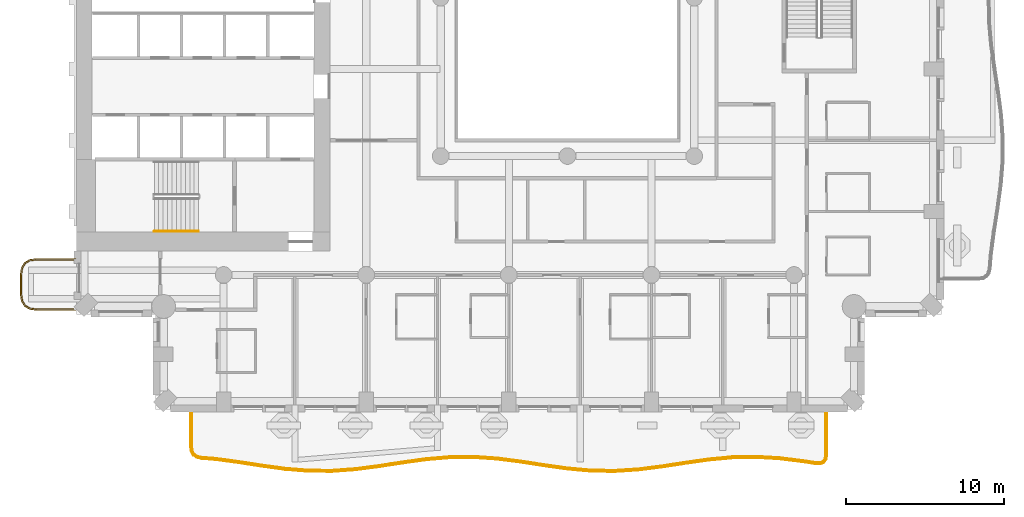
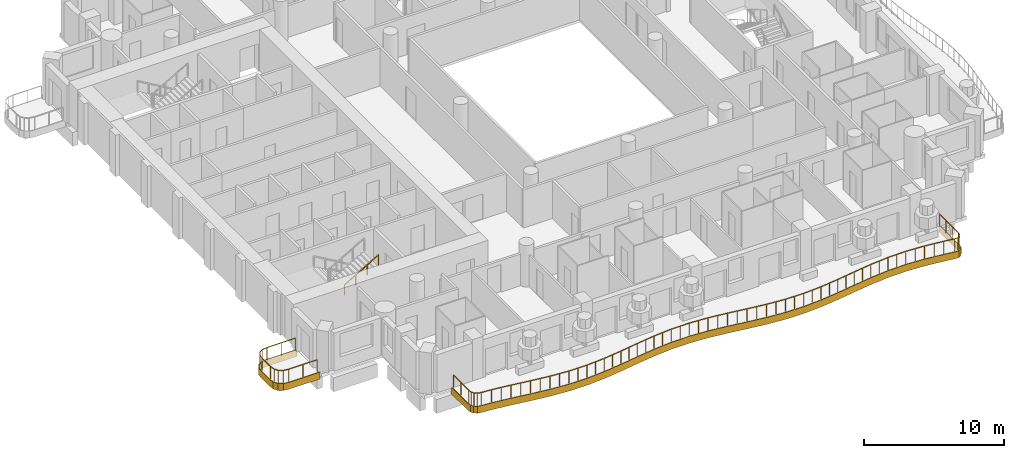
# One storey, part 13 of 20: 3 railings, 2 coverings.
"""IFC4 building model written with IfcOpenShell, lengths in metres."""

from ifc_helpers import new_model, si_unit, direction, frame, origin, origin_2d, place, context, subcontext, project, spatial, polyline, rectangle, outline, extrude, material, layer, layer_set, type_object, element, save


model = new_model("IFC4")

# Units and contexts
model_context = context("Model", 3, precision=1e-05, world=origin(), true_north=direction((0.0, 1.0)))
body_context = subcontext(model_context, "Body", "Model", "MODEL_VIEW")
ifc_project = project(units=[si_unit("LENGTHUNIT", "METRE"), si_unit("AREAUNIT", "SQUARE_METRE"), si_unit("VOLUMEUNIT", "CUBIC_METRE"), si_unit("PLANEANGLEUNIT", "RADIAN"), si_unit("MASSUNIT", "GRAM", prefix="KILO")], contexts=[model_context])

# Site, building, storey
site_placement = place(None, origin())
site = spatial("IfcSite", under=ifc_project, at=site_placement, CompositionType="ELEMENT")
building_placement = place(site_placement, origin())
building = spatial("IfcBuilding", under=site, at=building_placement, Name="Cypress Arch Tower", CompositionType="ELEMENT")
storey_placement = place(building_placement, frame((0.0, 0.0, 109.5)))
storey = spatial("IfcBuildingStorey", under=building, at=storey_placement, Name="L22", CompositionType="ELEMENT", Elevation=109.5)

# Coverings
ifc_material_1 = material(Name="White powder-coated aluminium fascia", Category="aluminium")
ifc_layer = layer(ifc_material_1, 0.050048828125)
ifc_layer_set = layer_set([ifc_layer], Name="Balcony fascia BF50")
covering_type = type_object("IfcCoveringType", Name="Balcony fascia BF50", PredefinedType="CLADDING", material=ifc_layer_set)
covering_1_placement = place(storey_placement, frame((0.0, 0.0, -0.60009765625)))
element("IfcCovering", 1, at=covering_1_placement, inside=storey, type_object=covering_type, Name="Balcony fascia L22-A00W1", PredefinedType="CLADDING", context=body_context, shape_type="SweptSolid", body=[
    extrude(outline(polyline([(-32.503662109375, -19.75), (-32.95458984375, -19.685546875), (-33.286376953125, -19.486328125), (-33.485595703125, -19.154541015625), (-33.550048828125, -18.70361328125), (-33.550048828125, -17.496337890625), (-33.485595703125, -17.04541015625), (-33.286376953125, -16.713623046875), (-32.95458984375, -16.514404296875), (-32.503662109375, -16.449951171875), (-30.0009765625, -16.449951171875), (-30.0009765625, -16.5), (-32.5, -16.5), (-32.9375, -16.5625), (-33.25, -16.75), (-33.4375, -17.0625), (-33.5, -17.5), (-33.5, -18.699951171875), (-33.4375, -19.137451171875), (-33.25, -19.449951171875), (-32.9375, -19.637451171875), (-32.5, -19.699951171875), (-30.0009765625, -19.699951171875), (-30.0009765625, -19.75), (-32.503662109375, -19.75)])), origin(), (0.0, 0.0, 1.0), 0.60009765625),
])
covering_2_placement = place(storey_placement, frame((0.0, 0.0, -0.60009765625)))
element("IfcCovering", 2, at=covering_2_placement, inside=storey, type_object=covering_type, Name="Balcony fascia L22-A03", PredefinedType="CLADDING", context=body_context, shape_type="SweptSolid", body=[
    extrude(outline(polyline([(17.39990234375, -28.832275390625), (17.356201171875, -29.13623046875), (17.216796875, -29.349609375), (16.984619140625, -29.454833984375), (16.677490234375, -29.451904296875), (15.85791015625, -29.325927734375), (14.375, -29.143310546875), (12.893310546875, -29.05419921875), (11.412109375, -29.082275390625), (9.929931640625, -29.2197265625), (8.4462890625, -29.430908203125), (6.960693359375, -29.66015625), (5.47314453125, -29.84765625), (3.984619140625, -29.943603515625), (2.49560546875, -29.9228515625), (1.00732421875, -29.79052734375), (-0.4794921875, -29.581787109375), (-1.96435546875, -29.351806640625), (-3.447509765625, -29.160888671875), (-4.92919921875, -29.05908203125), (-6.41064453125, -29.07275390625), (-7.892578125, -29.198486328125), (-9.3759765625, -29.4033203125), (-10.861328125, -29.6337890625), (-12.3486328125, -29.829345703125), (-13.837158203125, -29.93798828125), (-15.326171875, -29.931396484375), (-16.814697265625, -29.811279296875), (-18.3017578125, -29.609130859375), (-19.786865234375, -29.37841796875), (-21.27001953125, -29.179931640625), (-22.089111328125, -29.11669921875), (-22.394287109375, -29.04931640625), (-22.62060546875, -28.8955078125), (-22.75634765625, -28.657958984375), (-22.800048828125, -28.348388671875), (-22.800048828125, -26.0009765625), (-22.75, -26.0009765625), (-22.75, -28.344970703125), (-22.708251953125, -28.6416015625), (-22.5830078125, -28.860595703125), (-22.3740234375, -29.00244140625), (-22.081787109375, -29.06689453125), (-21.264892578125, -29.130126953125), (-19.779541015625, -29.3291015625), (-18.29443359375, -29.559814453125), (-16.809326171875, -29.761474609375), (-15.323974609375, -29.881591796875), (-13.8388671875, -29.88818359375), (-12.353759765625, -29.779541015625), (-10.868408203125, -29.584228515625), (-9.38330078125, -29.353759765625), (-7.898193359375, -29.148681640625), (-6.412841796875, -29.022705078125), (-4.927734375, -29.009033203125), (-3.442626953125, -29.111083984375), (-1.95751953125, -29.302490234375), (-0.47216796875, -29.532470703125), (1.012939453125, -29.74072265625), (2.498046875, -29.872802734375), (3.9833984375, -29.8935546875), (5.468505859375, -29.7978515625), (6.95361328125, -29.61083984375), (8.43896484375, -29.38134765625), (9.924072265625, -29.169921875), (11.4091796875, -29.0322265625), (12.89453125, -29.004150390625), (14.379638671875, -29.093505859375), (15.86474609375, -29.2763671875), (16.681640625, -29.402099609375), (16.97412109375, -29.40478515625), (17.182861328125, -29.31005859375), (17.308349609375, -29.1181640625), (17.35009765625, -28.82861328125), (17.35009765625, -26.0009765625), (17.39990234375, -26.0009765625), (17.39990234375, -28.832275390625)])), origin(), (0.0, 0.0, 1.0), 0.60009765625),
])

# Railings
ifc_material_2 = material(Name="Powder-coated steel posts and rods, 100 mm clear between rods", Category="steel")
railing_type_1 = type_object("IfcRailingType", Name="Balcony guard GR1100", PredefinedType="GUARDRAIL", material=ifc_material_2)
railing_1_placement = place(storey_placement, frame((-30.14990234375, -19.64990234375, 0.0)))
element("IfcRailing", 3, at=railing_1_placement, inside=storey, type_object=railing_type_1, Name="Balcony guard L22-A00W1", PredefinedType="GUARDRAIL", context=body_context, shape_type="SweptSolid", body=[
    extrude(rectangle(XDim=0.050048828125, YDim=0.050048828125, at=origin_2d()), frame((0.0, 0.0, 1.0751953125), z_axis=(-1.0, 0.0, 0.0), x_axis=(0.0, -1.0, 0.0)), (0.0, 0.0, 1.0), 2.346435546875),
    extrude(rectangle(XDim=0.050048828125, YDim=0.050048828125, at=origin_2d()), frame((-2.346435546875, 0.0, 1.0751953125), z_axis=(-0.989960888959, 0.141341566184, 0.0), x_axis=(-0.141341566184, -0.989960888959, 0.0)), (0.0, 0.0, 1.0), 0.428466796875),
    extrude(rectangle(XDim=0.050048828125, YDim=0.050048828125, at=origin_2d()), frame((-2.7705078125, 0.060546875, 1.0751953125), z_axis=(-0.857681904839, 0.514180659021, 0.0), x_axis=(-0.514180659021, -0.857681904839, 0.0)), (0.0, 0.0, 1.0), 0.341796875),
    extrude(rectangle(XDim=0.050048828125, YDim=0.050048828125, at=origin_2d()), frame((-3.063720703125, 0.236328125, 1.0751953125), z_axis=(-0.514180659021, 0.857681904839, 0.0), x_axis=(-0.857681904839, -0.514180659021, 0.0)), (0.0, 0.0, 1.0), 0.341796875),
    extrude(rectangle(XDim=0.050048828125, YDim=0.050048828125, at=origin_2d()), frame((-3.239501953125, 0.529541015625, 1.0751953125), z_axis=(-0.141421356237, 0.989949493661, 0.0), x_axis=(-0.989949493661, -0.141421356237, 0.0)), (0.0, 0.0, 1.0), 0.42822265625),
    extrude(rectangle(XDim=0.050048828125, YDim=0.050048828125, at=origin_2d()), frame((-3.300048828125, 0.953369140625, 1.0751953125), z_axis=(0.0, 1.0, 0.0), x_axis=(-1.0, 0.0, 0.0)), (0.0, 0.0, 1.0), 1.19287109375),
    extrude(rectangle(XDim=0.050048828125, YDim=0.050048828125, at=origin_2d()), frame((-3.300048828125, 2.146240234375, 1.0751953125), z_axis=(0.141341566184, 0.989960888959, 0.0), x_axis=(-0.989960888959, 0.141341566184, 0.0)), (0.0, 0.0, 1.0), 0.428466796875),
    extrude(rectangle(XDim=0.050048828125, YDim=0.050048828125, at=origin_2d()), frame((-3.239501953125, 2.5703125, 1.0751953125), z_axis=(0.514180659021, 0.857681904839, 0.0), x_axis=(-0.857681904839, 0.514180659021, 0.0)), (0.0, 0.0, 1.0), 0.341796875),
    extrude(rectangle(XDim=0.050048828125, YDim=0.050048828125, at=origin_2d()), frame((-3.063720703125, 2.863525390625, 1.0751953125), z_axis=(0.857681904839, 0.514180659021, 0.0), x_axis=(-0.514180659021, 0.857681904839, 0.0)), (0.0, 0.0, 1.0), 0.341796875),
    extrude(rectangle(XDim=0.050048828125, YDim=0.050048828125, at=origin_2d()), frame((-2.7705078125, 3.039306640625, 1.0751953125), z_axis=(0.989960888959, 0.141341566184, 0.0), x_axis=(-0.141341566184, 0.989960888959, 0.0)), (0.0, 0.0, 1.0), 0.428466796875),
    extrude(rectangle(XDim=0.050048828125, YDim=0.050048828125, at=origin_2d()), frame((-2.346435546875, 3.099853515625, 1.0751953125), z_axis=(1.0, 0.0, 0.0), x_axis=(0.0, 1.0, 0.0)), (0.0, 0.0, 1.0), 2.346435546875),
    extrude(rectangle(XDim=0.0400390625, YDim=0.0400390625, at=origin_2d()), origin(), (0.0, 0.0, 1.0), 1.050048828125),
    extrude(rectangle(XDim=0.0400390625, YDim=0.0400390625, at=origin_2d()), frame((-1.17333984375, 0.0, 0.0)), (0.0, 0.0, 1.0), 1.050048828125),
    extrude(rectangle(XDim=0.0400390625, YDim=0.0400390625, at=origin_2d()), frame((-2.346435546875, 0.0, 0.0)), (0.0, 0.0, 1.0), 1.050048828125),
    extrude(rectangle(XDim=0.0400390625, YDim=0.0400390625, at=origin_2d()), frame((-2.7705078125, 0.060546875, 0.0)), (0.0, 0.0, 1.0), 1.050048828125),
    extrude(rectangle(XDim=0.0400390625, YDim=0.0400390625, at=origin_2d()), frame((-3.063720703125, 0.236328125, 0.0)), (0.0, 0.0, 1.0), 1.050048828125),
    extrude(rectangle(XDim=0.0400390625, YDim=0.0400390625, at=origin_2d()), frame((-3.239501953125, 0.529541015625, 0.0)), (0.0, 0.0, 1.0), 1.050048828125),
    extrude(rectangle(XDim=0.0400390625, YDim=0.0400390625, at=origin_2d()), frame((-3.300048828125, 0.953369140625, 0.0)), (0.0, 0.0, 1.0), 1.050048828125),
    extrude(rectangle(XDim=0.0400390625, YDim=0.0400390625, at=origin_2d()), frame((-3.300048828125, 2.146240234375, 0.0)), (0.0, 0.0, 1.0), 1.050048828125),
    extrude(rectangle(XDim=0.0400390625, YDim=0.0400390625, at=origin_2d()), frame((-3.239501953125, 2.5703125, 0.0)), (0.0, 0.0, 1.0), 1.050048828125),
    extrude(rectangle(XDim=0.0400390625, YDim=0.0400390625, at=origin_2d()), frame((-3.063720703125, 2.863525390625, 0.0)), (0.0, 0.0, 1.0), 1.050048828125),
    extrude(rectangle(XDim=0.0400390625, YDim=0.0400390625, at=origin_2d()), frame((-2.7705078125, 3.039306640625, 0.0)), (0.0, 0.0, 1.0), 1.050048828125),
    extrude(rectangle(XDim=0.0400390625, YDim=0.0400390625, at=origin_2d()), frame((-2.346435546875, 3.099853515625, 0.0)), (0.0, 0.0, 1.0), 1.050048828125),
    extrude(rectangle(XDim=0.0400390625, YDim=0.0400390625, at=origin_2d()), frame((-1.17333984375, 3.099853515625, 0.0)), (0.0, 0.0, 1.0), 1.050048828125),
    extrude(rectangle(XDim=0.0400390625, YDim=0.0400390625, at=origin_2d()), frame((0.0, 3.099853515625, 0.0)), (0.0, 0.0, 1.0), 1.050048828125),
])
railing_2_placement = place(storey_placement, frame((17.300048828125, -26.14990234375, 0.0)))
element("IfcRailing", 4, at=railing_2_placement, inside=storey, type_object=railing_type_1, Name="Balcony guard L22-A03", PredefinedType="GUARDRAIL", context=body_context, shape_type="SweptSolid", body=[
    extrude(rectangle(XDim=0.050048828125, YDim=0.050048828125, at=origin_2d()), frame((0.0, 0.0, 1.0751953125), z_axis=(0.0, -1.0, 0.0), x_axis=(1.0, 0.0, 0.0)), (0.0, 0.0, 1.0), 2.675048828125),
    extrude(rectangle(XDim=0.050048828125, YDim=0.050048828125, at=origin_2d()), frame((0.0, -2.675048828125, 1.0751953125), z_axis=(-0.143142363533, -0.989702108597, 0.0), x_axis=(0.989702108597, -0.143142363533, 0.0)), (0.0, 0.0, 1.0), 0.278076171875),
    extrude(rectangle(XDim=0.050048828125, YDim=0.050048828125, at=origin_2d()), frame((-0.039794921875, -2.9501953125, 1.0751953125), z_axis=(-0.546926167925, -0.837180844763, 0.0), x_axis=(0.837180844763, -0.546926167925, 0.0)), (0.0, 0.0, 1.0), 0.20361328125),
    extrude(rectangle(XDim=0.050048828125, YDim=0.050048828125, at=origin_2d()), frame((-0.151123046875, -3.12060546875, 1.0751953125), z_axis=(-0.910571523184, -0.413351546709, 0.0), x_axis=(0.413351546709, -0.910571523184, 0.0)), (0.0, 0.0, 1.0), 0.203857421875),
    extrude(rectangle(XDim=0.050048828125, YDim=0.050048828125, at=origin_2d()), frame((-0.336669921875, -3.204833984375, 1.0751953125), z_axis=(-0.999953204514, 0.009674129507, 0.0), x_axis=(-0.009674129507, -0.999953204514, 0.0)), (0.0, 0.0, 1.0), 0.277587890625),
    extrude(rectangle(XDim=0.050048828125, YDim=0.050048828125, at=origin_2d()), frame((-0.6142578125, -3.2021484375, 1.0751953125), z_axis=(-0.988375123577, 0.152034914062, 0.0), x_axis=(-0.152034914062, -0.988375123577, 0.0)), (0.0, 0.0, 1.0), 0.82373046875),
    extrude(rectangle(XDim=0.050048828125, YDim=0.050048828125, at=origin_2d()), frame((-1.428466796875, -3.076904296875, 1.0751953125), z_axis=(-0.992506755939, 0.122189768049, 0.0), x_axis=(-0.122189768049, -0.992506755939, 0.0)), (0.0, 0.0, 1.0), 1.49853515625),
    extrude(rectangle(XDim=0.050048828125, YDim=0.050048828125, at=origin_2d()), frame((-2.915771484375, -2.893798828125, 1.0751953125), z_axis=(-0.998203670908, 0.059911863488, 0.0), x_axis=(-0.059911863488, -0.998203670908, 0.0)), (0.0, 0.0, 1.0), 1.491455078125),
    extrude(rectangle(XDim=0.050048828125, YDim=0.050048828125, at=origin_2d()), frame((-4.404541015625, -2.804443359375, 1.0751953125), z_axis=(-0.999825358015, -0.018688324449, 0.0), x_axis=(0.018688324449, -0.999825358015, 0.0)), (0.0, 0.0, 1.0), 1.4892578125),
    extrude(rectangle(XDim=0.050048828125, YDim=0.050048828125, at=origin_2d()), frame((-5.8935546875, -2.832275390625, 1.0751953125), z_axis=(-0.995717315914, -0.092450131366, 0.0), x_axis=(0.092450131366, -0.995717315914, 0.0)), (0.0, 0.0, 1.0), 1.49462890625),
    extrude(rectangle(XDim=0.050048828125, YDim=0.050048828125, at=origin_2d()), frame((-7.3818359375, -2.970458984375, 1.0751953125), z_axis=(-0.990037103831, -0.140806722273, 0.0), x_axis=(0.140806722273, -0.990037103831, 0.0)), (0.0, 0.0, 1.0), 1.50146484375),
    extrude(rectangle(XDim=0.050048828125, YDim=0.050048828125, at=origin_2d()), frame((-8.868408203125, -3.181884765625, 1.0751953125), z_axis=(-0.988266265066, -0.152740922256, 0.0), x_axis=(0.152740922256, -0.988266265066, 0.0)), (0.0, 0.0, 1.0), 1.50244140625),
    extrude(rectangle(XDim=0.050048828125, YDim=0.050048828125, at=origin_2d()), frame((-10.353271484375, -3.411376953125, 1.0751953125), z_axis=(-0.992161847266, -0.124959468745, 0.0), x_axis=(0.124959468745, -0.992161847266, 0.0)), (0.0, 0.0, 1.0), 1.49462890625),
    extrude(rectangle(XDim=0.050048828125, YDim=0.050048828125, at=origin_2d()), frame((-11.836181640625, -3.59814453125, 1.0751953125), z_axis=(-0.997931098348, -0.064292479726, 0.0), x_axis=(0.064292479726, -0.997931098348, 0.0)), (0.0, 0.0, 1.0), 1.48486328125),
    extrude(rectangle(XDim=0.050048828125, YDim=0.050048828125, at=origin_2d()), frame((-13.31787109375, -3.693603515625, 1.0751953125), z_axis=(-0.99990190366, 0.014006536225, 0.0), x_axis=(-0.014006536225, -0.99990190366, 0.0)), (0.0, 0.0, 1.0), 1.481689453125),
    extrude(rectangle(XDim=0.050048828125, YDim=0.050048828125, at=origin_2d()), frame((-14.79931640625, -3.6728515625, 1.0751953125), z_axis=(-0.996081960189, 0.088434883305, 0.0), x_axis=(-0.088434883305, -0.996081960189, 0.0)), (0.0, 0.0, 1.0), 1.488037109375),
    extrude(rectangle(XDim=0.050048828125, YDim=0.050048828125, at=origin_2d()), frame((-16.281494140625, -3.541259765625, 1.0751953125), z_axis=(-0.990288860181, 0.139025081918, 0.0), x_axis=(-0.139025081918, -0.990288860181, 0.0)), (0.0, 0.0, 1.0), 1.498046875),
    extrude(rectangle(XDim=0.050048828125, YDim=0.050048828125, at=origin_2d()), frame((-17.764892578125, -3.3330078125, 1.0751953125), z_axis=(-0.988228572221, 0.152984603949, 0.0), x_axis=(-0.152984603949, -0.988228572221, 0.0)), (0.0, 0.0, 1.0), 1.503173828125),
    extrude(rectangle(XDim=0.050048828125, YDim=0.050048828125, at=origin_2d()), frame((-19.25048828125, -3.10302734375, 1.0751953125), z_axis=(-0.991799847974, 0.127800866819, 0.0), x_axis=(-0.127800866819, -0.991799847974, 0.0)), (0.0, 0.0, 1.0), 1.49951171875),
    extrude(rectangle(XDim=0.050048828125, YDim=0.050048828125, at=origin_2d()), frame((-20.73779296875, -2.911376953125, 1.0751953125), z_axis=(-0.99764695258, 0.06856061557, 0.0), x_axis=(-0.06856061557, -0.99764695258, 0.0)), (0.0, 0.0, 1.0), 1.491943359375),
    extrude(rectangle(XDim=0.050048828125, YDim=0.050048828125, at=origin_2d()), frame((-22.226318359375, -2.80908203125, 1.0751953125), z_axis=(-0.999957849636, -0.00918144607, 0.0), x_axis=(0.00918144607, -0.999957849636, 0.0)), (0.0, 0.0, 1.0), 1.489013671875),
    extrude(rectangle(XDim=0.050048828125, YDim=0.050048828125, at=origin_2d()), frame((-23.71533203125, -2.82275390625, 1.0751953125), z_axis=(-0.99642410841, -0.084492580621, 0.0), x_axis=(0.084492580621, -0.99642410841, 0.0)), (0.0, 0.0, 1.0), 1.493896484375),
    extrude(rectangle(XDim=0.050048828125, YDim=0.050048828125, at=origin_2d()), frame((-25.203857421875, -2.948974609375, 1.0751953125), z_axis=(-0.990577044819, -0.136956629185, 0.0), x_axis=(0.136956629185, -0.990577044819, 0.0)), (0.0, 0.0, 1.0), 1.5009765625),
    extrude(rectangle(XDim=0.050048828125, YDim=0.050048828125, at=origin_2d()), frame((-26.690673828125, -3.154541015625, 1.0751953125), z_axis=(-0.988171781301, -0.153351004693, 0.0), x_axis=(0.153351004693, -0.988171781301, 0.0)), (0.0, 0.0, 1.0), 1.5029296875),
    extrude(rectangle(XDim=0.050048828125, YDim=0.050048828125, at=origin_2d()), frame((-28.17578125, -3.385009765625, 1.0751953125), z_axis=(-0.991482602856, -0.130239196227, 0.0), x_axis=(0.130239196227, -0.991482602856, 0.0)), (0.0, 0.0, 1.0), 1.495849609375),
    extrude(rectangle(XDim=0.050048828125, YDim=0.050048828125, at=origin_2d()), frame((-29.658935546875, -3.579833984375, 1.0751953125), z_axis=(-0.997334598664, -0.072963678004, 0.0), x_axis=(0.072963678004, -0.997334598664, 0.0)), (0.0, 0.0, 1.0), 1.485595703125),
    extrude(rectangle(XDim=0.050048828125, YDim=0.050048828125, at=origin_2d()), frame((-31.140625, -3.688232421875, 1.0751953125), z_axis=(-0.999990100804, 0.004449527476, 0.0), x_axis=(-0.004449527476, -0.999990100804, 0.0)), (0.0, 0.0, 1.0), 1.4814453125),
    extrude(rectangle(XDim=0.050048828125, YDim=0.050048828125, at=origin_2d()), frame((-32.6220703125, -3.681640625, 1.0751953125), z_axis=(-0.996757585494, 0.080463132931, 0.0), x_axis=(-0.080463132931, -0.996757585494, 0.0)), (0.0, 0.0, 1.0), 1.48681640625),
    extrude(rectangle(XDim=0.050048828125, YDim=0.050048828125, at=origin_2d()), frame((-34.10400390625, -3.56201171875, 1.0751953125), z_axis=(-0.990885657782, 0.134705653938, 0.0), x_axis=(-0.134705653938, -0.990885657782, 0.0)), (0.0, 0.0, 1.0), 1.4970703125),
    extrude(rectangle(XDim=0.050048828125, YDim=0.050048828125, at=origin_2d()), frame((-35.58740234375, -3.3603515625, 1.0751953125), z_axis=(-0.988147152264, 0.153509626646, 0.0), x_axis=(-0.153509626646, -0.988147152264, 0.0)), (0.0, 0.0, 1.0), 1.5029296875),
    extrude(rectangle(XDim=0.050048828125, YDim=0.050048828125, at=origin_2d()), frame((-37.072509765625, -3.129638671875, 1.0751953125), z_axis=(-0.991145280574, 0.132781899351, 0.0), x_axis=(-0.132781899351, -0.991145280574, 0.0)), (0.0, 0.0, 1.0), 1.500244140625),
    extrude(rectangle(XDim=0.050048828125, YDim=0.050048828125, at=origin_2d()), frame((-38.5595703125, -2.930419921875, 1.0751953125), z_axis=(-0.997024531976, 0.077084905379, 0.0), x_axis=(-0.077084905379, -0.997024531976, 0.0)), (0.0, 0.0, 1.0), 0.817138671875),
    extrude(rectangle(XDim=0.050048828125, YDim=0.050048828125, at=origin_2d()), frame((-39.374267578125, -2.867431640625, 1.0751953125), z_axis=(-0.976665922259, 0.214764234214, 0.0), x_axis=(-0.214764234214, -0.976665922259, 0.0)), (0.0, 0.0, 1.0), 0.286376953125),
    extrude(rectangle(XDim=0.050048828125, YDim=0.050048828125, at=origin_2d()), frame((-39.654052734375, -2.805908203125, 1.0751953125), z_axis=(-0.827142570474, 0.561992142391, 0.0), x_axis=(-0.561992142391, -0.827142570474, 0.0)), (0.0, 0.0, 1.0), 0.231201171875),
    extrude(rectangle(XDim=0.050048828125, YDim=0.050048828125, at=origin_2d()), frame((-39.84521484375, -2.676025390625, 1.0751953125), z_axis=(-0.496706682447, 0.867918470602, 0.0), x_axis=(-0.867918470602, -0.496706682447, 0.0)), (0.0, 0.0, 1.0), 0.2314453125),
    extrude(rectangle(XDim=0.050048828125, YDim=0.050048828125, at=origin_2d()), frame((-39.960205078125, -2.47509765625, 1.0751953125), z_axis=(-0.139032653693, 0.990287797162, 0.0), x_axis=(-0.990287797162, -0.139032653693, 0.0)), (0.0, 0.0, 1.0), 0.2861328125),
    extrude(rectangle(XDim=0.050048828125, YDim=0.050048828125, at=origin_2d()), frame((-40.0, -2.191650390625, 1.0751953125), z_axis=(0.0, 1.0, 0.0), x_axis=(-1.0, 0.0, 0.0)), (0.0, 0.0, 1.0), 2.191650390625),
    extrude(rectangle(XDim=0.0400390625, YDim=0.0400390625, at=origin_2d()), origin(), (0.0, 0.0, 1.0), 1.050048828125),
    extrude(rectangle(XDim=0.0400390625, YDim=0.0400390625, at=origin_2d()), frame((0.0, -0.8916015625, 0.0)), (0.0, 0.0, 1.0), 1.050048828125),
    extrude(rectangle(XDim=0.0400390625, YDim=0.0400390625, at=origin_2d()), frame((0.0, -1.783447265625, 0.0)), (0.0, 0.0, 1.0), 1.050048828125),
    extrude(rectangle(XDim=0.0400390625, YDim=0.0400390625, at=origin_2d()), frame((0.0, -2.675048828125, 0.0)), (0.0, 0.0, 1.0), 1.050048828125),
    extrude(rectangle(XDim=0.0400390625, YDim=0.0400390625, at=origin_2d()), frame((-0.039794921875, -2.9501953125, 0.0)), (0.0, 0.0, 1.0), 1.050048828125),
    extrude(rectangle(XDim=0.0400390625, YDim=0.0400390625, at=origin_2d()), frame((-0.151123046875, -3.12060546875, 0.0)), (0.0, 0.0, 1.0), 1.050048828125),
    extrude(rectangle(XDim=0.0400390625, YDim=0.0400390625, at=origin_2d()), frame((-0.336669921875, -3.204833984375, 0.0)), (0.0, 0.0, 1.0), 1.050048828125),
    extrude(rectangle(XDim=0.0400390625, YDim=0.0400390625, at=origin_2d()), frame((-0.6142578125, -3.2021484375, 0.0)), (0.0, 0.0, 1.0), 1.050048828125),
    extrude(rectangle(XDim=0.0400390625, YDim=0.0400390625, at=origin_2d()), frame((-1.428466796875, -3.076904296875, 0.0)), (0.0, 0.0, 1.0), 1.050048828125),
    extrude(rectangle(XDim=0.0400390625, YDim=0.0400390625, at=origin_2d()), frame((-2.172119140625, -2.9853515625, 0.0)), (0.0, 0.0, 1.0), 1.050048828125),
    extrude(rectangle(XDim=0.0400390625, YDim=0.0400390625, at=origin_2d()), frame((-2.915771484375, -2.893798828125, 0.0)), (0.0, 0.0, 1.0), 1.050048828125),
    extrude(rectangle(XDim=0.0400390625, YDim=0.0400390625, at=origin_2d()), frame((-3.66015625, -2.84912109375, 0.0)), (0.0, 0.0, 1.0), 1.050048828125),
    extrude(rectangle(XDim=0.0400390625, YDim=0.0400390625, at=origin_2d()), frame((-4.404541015625, -2.804443359375, 0.0)), (0.0, 0.0, 1.0), 1.050048828125),
    extrude(rectangle(XDim=0.0400390625, YDim=0.0400390625, at=origin_2d()), frame((-5.14892578125, -2.818359375, 0.0)), (0.0, 0.0, 1.0), 1.050048828125),
    extrude(rectangle(XDim=0.0400390625, YDim=0.0400390625, at=origin_2d()), frame((-5.8935546875, -2.832275390625, 0.0)), (0.0, 0.0, 1.0), 1.050048828125),
    extrude(rectangle(XDim=0.0400390625, YDim=0.0400390625, at=origin_2d()), frame((-6.6376953125, -2.9013671875, 0.0)), (0.0, 0.0, 1.0), 1.050048828125),
    extrude(rectangle(XDim=0.0400390625, YDim=0.0400390625, at=origin_2d()), frame((-7.3818359375, -2.970458984375, 0.0)), (0.0, 0.0, 1.0), 1.050048828125),
    extrude(rectangle(XDim=0.0400390625, YDim=0.0400390625, at=origin_2d()), frame((-8.125, -3.076171875, 0.0)), (0.0, 0.0, 1.0), 1.050048828125),
    extrude(rectangle(XDim=0.0400390625, YDim=0.0400390625, at=origin_2d()), frame((-8.868408203125, -3.181884765625, 0.0)), (0.0, 0.0, 1.0), 1.050048828125),
    extrude(rectangle(XDim=0.0400390625, YDim=0.0400390625, at=origin_2d()), frame((-9.61083984375, -3.296630859375, 0.0)), (0.0, 0.0, 1.0), 1.050048828125),
    extrude(rectangle(XDim=0.0400390625, YDim=0.0400390625, at=origin_2d()), frame((-10.353271484375, -3.411376953125, 0.0)), (0.0, 0.0, 1.0), 1.050048828125),
    extrude(rectangle(XDim=0.0400390625, YDim=0.0400390625, at=origin_2d()), frame((-11.0947265625, -3.5048828125, 0.0)), (0.0, 0.0, 1.0), 1.050048828125),
    extrude(rectangle(XDim=0.0400390625, YDim=0.0400390625, at=origin_2d()), frame((-11.836181640625, -3.59814453125, 0.0)), (0.0, 0.0, 1.0), 1.050048828125),
    extrude(rectangle(XDim=0.0400390625, YDim=0.0400390625, at=origin_2d()), frame((-12.5771484375, -3.64599609375, 0.0)), (0.0, 0.0, 1.0), 1.050048828125),
    extrude(rectangle(XDim=0.0400390625, YDim=0.0400390625, at=origin_2d()), frame((-13.31787109375, -3.693603515625, 0.0)), (0.0, 0.0, 1.0), 1.050048828125),
    extrude(rectangle(XDim=0.0400390625, YDim=0.0400390625, at=origin_2d()), frame((-14.05859375, -3.68310546875, 0.0)), (0.0, 0.0, 1.0), 1.050048828125),
    extrude(rectangle(XDim=0.0400390625, YDim=0.0400390625, at=origin_2d()), frame((-14.79931640625, -3.6728515625, 0.0)), (0.0, 0.0, 1.0), 1.050048828125),
    extrude(rectangle(XDim=0.0400390625, YDim=0.0400390625, at=origin_2d()), frame((-15.54052734375, -3.60693359375, 0.0)), (0.0, 0.0, 1.0), 1.050048828125),
    extrude(rectangle(XDim=0.0400390625, YDim=0.0400390625, at=origin_2d()), frame((-16.281494140625, -3.541259765625, 0.0)), (0.0, 0.0, 1.0), 1.050048828125),
    extrude(rectangle(XDim=0.0400390625, YDim=0.0400390625, at=origin_2d()), frame((-17.023193359375, -3.43701171875, 0.0)), (0.0, 0.0, 1.0), 1.050048828125),
    extrude(rectangle(XDim=0.0400390625, YDim=0.0400390625, at=origin_2d()), frame((-17.764892578125, -3.3330078125, 0.0)), (0.0, 0.0, 1.0), 1.050048828125),
    extrude(rectangle(XDim=0.0400390625, YDim=0.0400390625, at=origin_2d()), frame((-18.5078125, -3.218017578125, 0.0)), (0.0, 0.0, 1.0), 1.050048828125),
    extrude(rectangle(XDim=0.0400390625, YDim=0.0400390625, at=origin_2d()), frame((-19.25048828125, -3.10302734375, 0.0)), (0.0, 0.0, 1.0), 1.050048828125),
    extrude(rectangle(XDim=0.0400390625, YDim=0.0400390625, at=origin_2d()), frame((-19.994140625, -3.00732421875, 0.0)), (0.0, 0.0, 1.0), 1.050048828125),
    extrude(rectangle(XDim=0.0400390625, YDim=0.0400390625, at=origin_2d()), frame((-20.73779296875, -2.911376953125, 0.0)), (0.0, 0.0, 1.0), 1.050048828125),
    extrude(rectangle(XDim=0.0400390625, YDim=0.0400390625, at=origin_2d()), frame((-21.48193359375, -2.8603515625, 0.0)), (0.0, 0.0, 1.0), 1.050048828125),
    extrude(rectangle(XDim=0.0400390625, YDim=0.0400390625, at=origin_2d()), frame((-22.226318359375, -2.80908203125, 0.0)), (0.0, 0.0, 1.0), 1.050048828125),
    extrude(rectangle(XDim=0.0400390625, YDim=0.0400390625, at=origin_2d()), frame((-22.970703125, -2.81591796875, 0.0)), (0.0, 0.0, 1.0), 1.050048828125),
    extrude(rectangle(XDim=0.0400390625, YDim=0.0400390625, at=origin_2d()), frame((-23.71533203125, -2.82275390625, 0.0)), (0.0, 0.0, 1.0), 1.050048828125),
    extrude(rectangle(XDim=0.0400390625, YDim=0.0400390625, at=origin_2d()), frame((-24.45947265625, -2.8857421875, 0.0)), (0.0, 0.0, 1.0), 1.050048828125),
    extrude(rectangle(XDim=0.0400390625, YDim=0.0400390625, at=origin_2d()), frame((-25.203857421875, -2.948974609375, 0.0)), (0.0, 0.0, 1.0), 1.050048828125),
    extrude(rectangle(XDim=0.0400390625, YDim=0.0400390625, at=origin_2d()), frame((-25.947265625, -3.0517578125, 0.0)), (0.0, 0.0, 1.0), 1.050048828125),
    extrude(rectangle(XDim=0.0400390625, YDim=0.0400390625, at=origin_2d()), frame((-26.690673828125, -3.154541015625, 0.0)), (0.0, 0.0, 1.0), 1.050048828125),
    extrude(rectangle(XDim=0.0400390625, YDim=0.0400390625, at=origin_2d()), frame((-27.43310546875, -3.269775390625, 0.0)), (0.0, 0.0, 1.0), 1.050048828125),
    extrude(rectangle(XDim=0.0400390625, YDim=0.0400390625, at=origin_2d()), frame((-28.17578125, -3.385009765625, 0.0)), (0.0, 0.0, 1.0), 1.050048828125),
    extrude(rectangle(XDim=0.0400390625, YDim=0.0400390625, at=origin_2d()), frame((-28.91748046875, -3.482421875, 0.0)), (0.0, 0.0, 1.0), 1.050048828125),
    extrude(rectangle(XDim=0.0400390625, YDim=0.0400390625, at=origin_2d()), frame((-29.658935546875, -3.579833984375, 0.0)), (0.0, 0.0, 1.0), 1.050048828125),
    extrude(rectangle(XDim=0.0400390625, YDim=0.0400390625, at=origin_2d()), frame((-30.39990234375, -3.634033203125, 0.0)), (0.0, 0.0, 1.0), 1.050048828125),
    extrude(rectangle(XDim=0.0400390625, YDim=0.0400390625, at=origin_2d()), frame((-31.140625, -3.688232421875, 0.0)), (0.0, 0.0, 1.0), 1.050048828125),
    extrude(rectangle(XDim=0.0400390625, YDim=0.0400390625, at=origin_2d()), frame((-31.88134765625, -3.68505859375, 0.0)), (0.0, 0.0, 1.0), 1.050048828125),
    extrude(rectangle(XDim=0.0400390625, YDim=0.0400390625, at=origin_2d()), frame((-32.6220703125, -3.681640625, 0.0)), (0.0, 0.0, 1.0), 1.050048828125),
    extrude(rectangle(XDim=0.0400390625, YDim=0.0400390625, at=origin_2d()), frame((-33.363037109375, -3.621826171875, 0.0)), (0.0, 0.0, 1.0), 1.050048828125),
    extrude(rectangle(XDim=0.0400390625, YDim=0.0400390625, at=origin_2d()), frame((-34.10400390625, -3.56201171875, 0.0)), (0.0, 0.0, 1.0), 1.050048828125),
    extrude(rectangle(XDim=0.0400390625, YDim=0.0400390625, at=origin_2d()), frame((-34.845703125, -3.461181640625, 0.0)), (0.0, 0.0, 1.0), 1.050048828125),
    extrude(rectangle(XDim=0.0400390625, YDim=0.0400390625, at=origin_2d()), frame((-35.58740234375, -3.3603515625, 0.0)), (0.0, 0.0, 1.0), 1.050048828125),
    extrude(rectangle(XDim=0.0400390625, YDim=0.0400390625, at=origin_2d()), frame((-36.330078125, -3.2451171875, 0.0)), (0.0, 0.0, 1.0), 1.050048828125),
    extrude(rectangle(XDim=0.0400390625, YDim=0.0400390625, at=origin_2d()), frame((-37.072509765625, -3.129638671875, 0.0)), (0.0, 0.0, 1.0), 1.050048828125),
    extrude(rectangle(XDim=0.0400390625, YDim=0.0400390625, at=origin_2d()), frame((-37.81591796875, -3.030029296875, 0.0)), (0.0, 0.0, 1.0), 1.050048828125),
    extrude(rectangle(XDim=0.0400390625, YDim=0.0400390625, at=origin_2d()), frame((-38.5595703125, -2.930419921875, 0.0)), (0.0, 0.0, 1.0), 1.050048828125),
    extrude(rectangle(XDim=0.0400390625, YDim=0.0400390625, at=origin_2d()), frame((-39.374267578125, -2.867431640625, 0.0)), (0.0, 0.0, 1.0), 1.050048828125),
    extrude(rectangle(XDim=0.0400390625, YDim=0.0400390625, at=origin_2d()), frame((-39.654052734375, -2.805908203125, 0.0)), (0.0, 0.0, 1.0), 1.050048828125),
    extrude(rectangle(XDim=0.0400390625, YDim=0.0400390625, at=origin_2d()), frame((-39.84521484375, -2.676025390625, 0.0)), (0.0, 0.0, 1.0), 1.050048828125),
    extrude(rectangle(XDim=0.0400390625, YDim=0.0400390625, at=origin_2d()), frame((-39.960205078125, -2.47509765625, 0.0)), (0.0, 0.0, 1.0), 1.050048828125),
    extrude(rectangle(XDim=0.0400390625, YDim=0.0400390625, at=origin_2d()), frame((-40.0, -2.191650390625, 0.0)), (0.0, 0.0, 1.0), 1.050048828125),
    extrude(rectangle(XDim=0.0400390625, YDim=0.0400390625, at=origin_2d()), frame((-40.0, -1.095703125, 0.0)), (0.0, 0.0, 1.0), 1.050048828125),
    extrude(rectangle(XDim=0.0400390625, YDim=0.0400390625, at=origin_2d()), frame((-40.0, 0.0, 0.0)), (0.0, 0.0, 1.0), 1.050048828125),
])
ifc_material_3 = material(Name="Black powder-coated steel square bar 48 mm", Category="steel")
railing_type_2 = type_object("IfcRailingType", Name="Stair handrail HR1", PredefinedType="HANDRAIL", material=ifc_material_3)
railing_3_placement = place(storey_placement, frame((-25.074951171875, -14.75, 1.963623046875)))
element("IfcRailing", 5, at=railing_3_placement, inside=storey, type_object=railing_type_2, Name="L22 A stair handrail 2", PredefinedType="HANDRAIL", context=body_context, shape_type="SweptSolid", body=[
    extrude(rectangle(XDim=0.048095703125, YDim=0.048095703125, at=origin_2d()), frame((0.0, 0.0, 0.8759765625), z_axis=(0.863360870873, 0.0, 0.504586966384), x_axis=(0.0, 1.0, 0.0)), (0.0, 0.0, 1.0), 3.2431640625),
    extrude(rectangle(XDim=0.0419921875, YDim=0.0419921875, at=origin_2d()), origin(), (0.0, 0.0, 1.0), 0.851806640625),
    extrude(rectangle(XDim=0.0419921875, YDim=0.0419921875, at=origin_2d()), frame((0.933349609375, 0.0, 0.54541015625)), (0.0, 0.0, 1.0), 0.851806640625),
    extrude(rectangle(XDim=0.0419921875, YDim=0.0419921875, at=origin_2d()), frame((1.86669921875, 0.0, 1.091064453125)), (0.0, 0.0, 1.0), 0.851806640625),
    extrude(rectangle(XDim=0.0419921875, YDim=0.0419921875, at=origin_2d()), frame((2.800048828125, 0.0, 1.636474609375)), (0.0, 0.0, 1.0), 0.851806640625),
])

save(model, "model.ifc")
